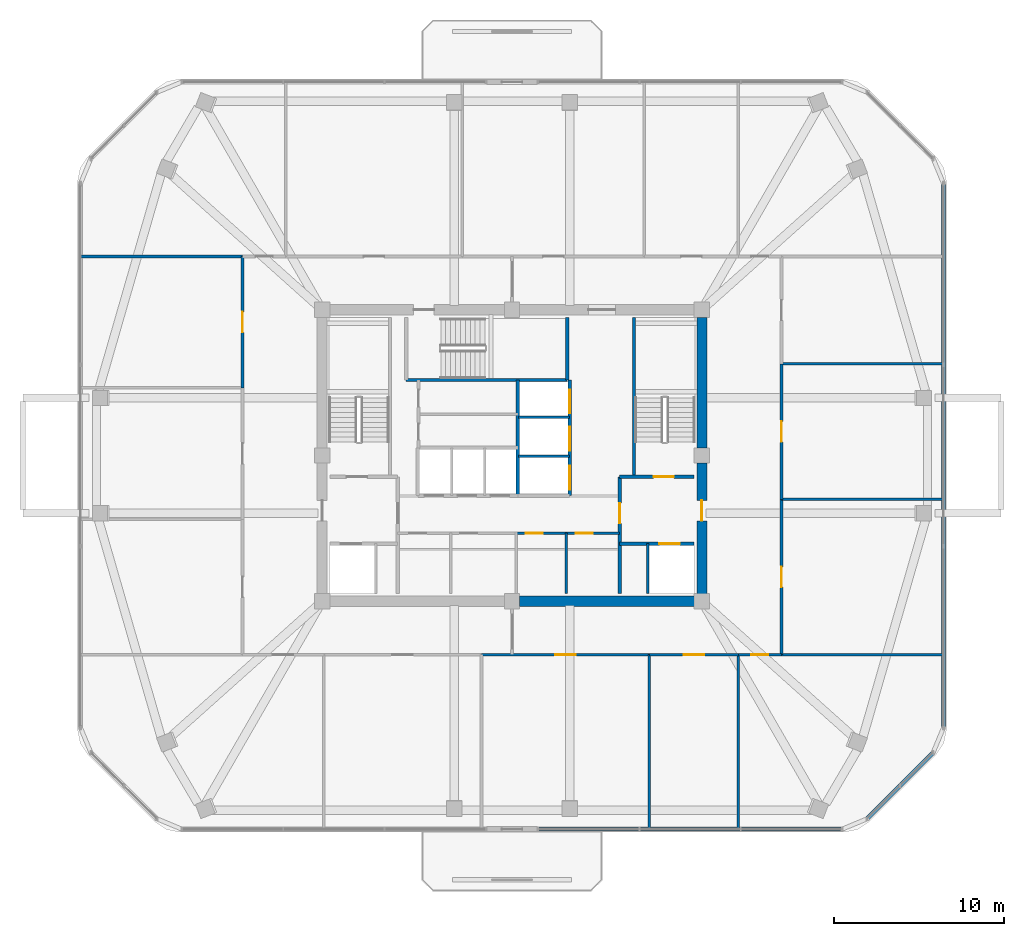
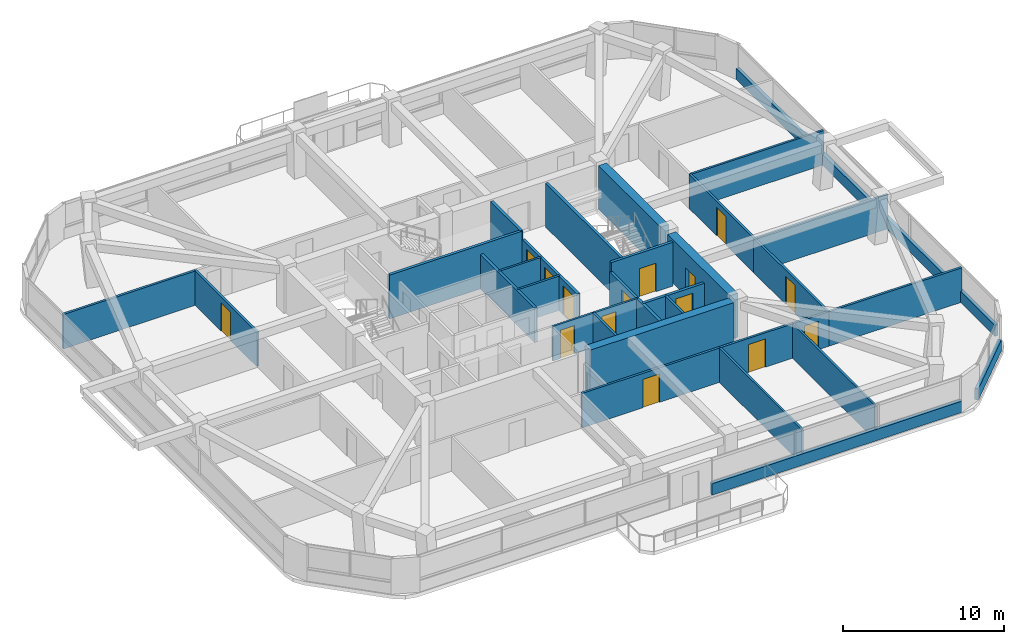
# One storey, part 9 of 12: 31 walls, 15 doors, 15 openings.
"""IFC4 building model written with IfcOpenShell, lengths in metres."""

from ifc_helpers import new_model, si_unit, derived_unit, direction, frame, frame_2d, origin, place, context, subcontext, project, spatial, rectangle, extrude, material, layer, layer_set, type_object, element, fill, save


model = new_model("IFC4")

# Units and contexts
model_context = context("Model", 3, precision=1e-05, world=origin(), true_north=direction((0.0, 1.0)))
body_context = subcontext(model_context, "Body", "Model", "MODEL_VIEW")
ifc_project = project(units=[si_unit("LENGTHUNIT", "METRE"), si_unit("AREAUNIT", "SQUARE_METRE"), si_unit("VOLUMEUNIT", "CUBIC_METRE"), si_unit("PLANEANGLEUNIT", "RADIAN"), si_unit("MASSUNIT", "GRAM", prefix="KILO"), derived_unit("THERMALTRANSMITTANCEUNIT", [(si_unit("POWERUNIT", "WATT"), 1), (si_unit("LENGTHUNIT", "METRE"), -2), (si_unit("THERMODYNAMICTEMPERATUREUNIT", "KELVIN"), -1)])], contexts=[model_context])

# Site, building, storey
site_placement = place(None, origin())
site = spatial("IfcSite", under=ifc_project, at=site_placement, CompositionType="ELEMENT")
building_placement = place(site_placement, origin())
building = spatial("IfcBuilding", under=site, at=building_placement, Name="Koralith Skygarden Medical Center", CompositionType="ELEMENT")
storey_placement = place(building_placement, frame((0.0, 0.0, 203.580078125)))
storey = spatial("IfcBuildingStorey", under=building, at=storey_placement, Name="L52", CompositionType="ELEMENT", Elevation=203.580078125)

# Wall, openings, doors
ifc_material_1 = material(Name="Gypsum Board Partition")
ifc_layer_1 = layer(ifc_material_1, 0.14990234375)
ifc_layer_set_1 = layer_set([ifc_layer_1], Name="Gypsum Board Partition")
wall_type_1 = type_object("IfcWallType", Name="Clinical Acoustic Partition 150", PredefinedType="PARTITIONING", material=ifc_layer_set_1)
wall_1_placement = place(storey_placement, frame((37.25, 21.320068359375, 0.0), z_axis=(0.0, 0.0, 1.0), x_axis=(1.0, 0.0, 0.0)))
wall_1 = element("IfcWall", 1, at=wall_1_placement, inside=storey, type_object=wall_type_1, Name="L52 Clinical Acoustic Partition 150 W-CORE-L52-FREED-MR-N", PredefinedType="PARTITIONING", context=body_context, shape_type="SweptSolid", body=[
    extrude(rectangle(XDim=6.10009765625, YDim=0.14990234375, at=frame_2d((3.050048828125, 0.0))), origin(), (0.0, 0.0, 1.0), 2.60986328125),
])
opening_1_placement = place(wall_1_placement, frame((0.550048828125, 0.0, 0.0)))
opening_1 = element("IfcOpeningElement", 2, at=opening_1_placement, cuts=wall_1, Name="Opening D-SUP", PredefinedType="OPENING", context=body_context, shape_type="SweptSolid", body=[
    extrude(rectangle(XDim=1.0, YDim=2.14990234375, at=frame_2d((0.5, 1.074951171875))), frame((0.0, 0.0849609375, 0.0), z_axis=(0.0, -1.0, 0.0), x_axis=(1.0, 0.0, 0.0)), (0.0, 0.0, 1.0), 0.169921875),
])
opening_2_placement = place(wall_1_placement, frame((3.5, 0.0, 0.0)))
opening_2 = element("IfcOpeningElement", 3, at=opening_2_placement, cuts=wall_1, Name="Opening D-SUP", PredefinedType="OPENING", context=body_context, shape_type="SweptSolid", body=[
    extrude(rectangle(XDim=1.0, YDim=2.14990234375, at=frame_2d((0.5, 1.074951171875))), frame((0.0, 0.0849609375, 0.0), z_axis=(0.0, -1.0, 0.0), x_axis=(1.0, 0.0, 0.0)), (0.0, 0.0, 1.0), 0.169921875),
])
ifc_material_2 = material(Name="Aluminium 6063-T6", Category="aluminium")
door_type_1 = type_object("IfcDoorType", Name="Clinical Support Door D-SUP 1000", OperationType="NOTDEFINED", PredefinedType="DOOR", material=ifc_material_2)
door_1_placement = place(opening_1_placement, frame((1.0, 0.0, 0.0), z_axis=(0.0, 0.0, 1.0), x_axis=(-1.0, 0.0, 0.0)))
door_1 = element("IfcDoor", 4, at=door_1_placement, inside=storey, type_object=door_type_1, Name="L52 Satellite Pharmacy Door", OperationType="SINGLE_SWING_LEFT", OverallHeight=2.14990234375, OverallWidth=1.0, PredefinedType="DOOR", context=body_context, shape_type="SweptSolid", body=[
    extrude(rectangle(XDim=1.0, YDim=2.14990234375, at=frame_2d((0.5, 1.074951171875))), frame((0.0, 0.02490234375, 0.0), z_axis=(0.0, -1.0, 0.0), x_axis=(1.0, 0.0, 0.0)), (0.0, 0.0, 1.0), 0.050048828125),
])
fill(opening_1, door_1)
door_2_placement = place(opening_2_placement, frame((1.0, 0.0, 0.0), z_axis=(0.0, 0.0, 1.0), x_axis=(-1.0, 0.0, 0.0)))
door_2 = element("IfcDoor", 5, at=door_2_placement, inside=storey, type_object=door_type_1, Name="L52 Biomedical Equipment Door", OperationType="SINGLE_SWING_RIGHT", OverallHeight=2.14990234375, OverallWidth=1.0, PredefinedType="DOOR", context=body_context, shape_type="SweptSolid", body=[
    extrude(rectangle(XDim=1.0, YDim=2.14990234375, at=frame_2d((0.5, 1.074951171875))), frame((0.0, 0.02490234375, 0.0), z_axis=(0.0, -1.0, 0.0), x_axis=(1.0, 0.0, 0.0)), (0.0, 0.0, 1.0), 0.050048828125),
])
fill(opening_2, door_2)

# Walls
wall_2_placement = place(storey_placement, frame((40.199951171875, 17.75, 0.0), z_axis=(0.0, 0.0, 1.0), x_axis=(0.0, 1.0, 0.0)))
element("IfcWall", 6, at=wall_2_placement, inside=storey, type_object=wall_type_1, Name="L52 Clinical Acoustic Partition 150 W-CORE-L52-FREED-MR-M", PredefinedType="PARTITIONING", context=body_context, shape_type="SweptSolid", body=[
    extrude(rectangle(XDim=3.570068359375, YDim=0.14990234375, at=frame_2d((1.78515625, 0.0))), origin(), (0.0, 0.0, 1.0), 2.60986328125),
])
for number, where, z_axis, x_axis, name in (
    (7, (45.10888671875, 14.14990234375, 0.0), (0.0, 0.0, 1.0), (0.0, -1.0, 0.0), "L52 Clinical Acoustic Partition 150 W-PART-L52-S-03"),
    (8, (50.35009765625, 14.14990234375, 0.0), (0.0, 0.0, 1.0), (0.0, -1.0, 0.0), "L52 Clinical Acoustic Partition 150 W-PART-L52-S-04"),
):
    element("IfcWall", number, at=place(storey_placement, frame(where, z_axis=z_axis, x_axis=x_axis)), inside=storey, type_object=wall_type_1, Name=name, PredefinedType="PARTITIONING", context=body_context, shape_type="SweptSolid", body=[
        extrude(rectangle(XDim=10.27197265625, YDim=0.14990234375, at=frame_2d((5.135986328125, 0.0))), origin(), (0.0, 0.0, 1.0), 2.60986328125),
    ])
for number, where, z_axis, x_axis, name in (
    (9, (52.89990234375, 23.31494140625, 0.0), (0.0, 0.0, 1.0), (1.0, 0.0, 0.0), "L52 Clinical Acoustic Partition 150 W-PART-L52-E-01"),
    (10, (52.89990234375, 31.304931640625, 0.0), (0.0, 0.0, 1.0), (1.0, 0.0, 0.0), "L52 Clinical Acoustic Partition 150 W-PART-L52-E-02"),
):
    element("IfcWall", number, at=place(storey_placement, frame(where, z_axis=z_axis, x_axis=x_axis)), inside=storey, type_object=wall_type_1, Name=name, PredefinedType="PARTITIONING", context=body_context, shape_type="SweptSolid", body=[
        extrude(rectangle(XDim=9.531005859375, YDim=0.14990234375, at=frame_2d((4.765625, 0.0))), origin(), (0.0, 0.0, 1.0), 2.60986328125),
    ])
ifc_layer_2 = layer(ifc_material_1, 0.1650390625)
ifc_layer_set_2 = layer_set([ifc_layer_2], Name="Gypsum Board Partition")
wall_type_2 = type_object("IfcWallType", Name="Clinical Corridor Partition 165", PredefinedType="PARTITIONING", material=ifc_layer_set_2)
for number, where, z_axis, x_axis, name in (
    (11, (11.569091796875, 37.64990234375, 0.0), (0.0, 0.0, 1.0), (1.0, 0.0, 0.0), "L52 Clinical Corridor Partition 165 W-WB-L52-NW"),
    (12, (52.89990234375, 14.14990234375, 0.0), (0.0, 0.0, 1.0), (1.0, 0.0, 0.0), "L52 Clinical Corridor Partition 165 W-WB-L52-SE"),
):
    element("IfcWall", number, at=place(storey_placement, frame(where, z_axis=z_axis, x_axis=x_axis)), inside=storey, type_object=wall_type_2, Name=name, PredefinedType="PARTITIONING", context=body_context, shape_type="SweptSolid", body=[
        extrude(rectangle(XDim=9.531005859375, YDim=0.1650390625, at=frame_2d((4.765625, 0.0))), origin(), (0.0, 0.0, 1.0), 2.60986328125),
    ])

# Wall, opening, door
wall_3_placement = place(storey_placement, frame((35.199951171875, 14.14990234375, 0.0), z_axis=(0.0, 0.0, 1.0), x_axis=(1.0, 0.0, 0.0)))
wall_3 = element("IfcWall", 13, at=wall_3_placement, inside=storey, type_object=wall_type_2, Name="L52 Clinical Corridor Partition 165 W-CORR-L52-S-03", PredefinedType="PARTITIONING", context=body_context, shape_type="SweptSolid", body=[
    extrude(rectangle(XDim=9.908935546875, YDim=0.1650390625, at=frame_2d((4.95458984375, 0.0))), origin(), (0.0, 0.0, 1.0), 2.60986328125),
])
opening_3_placement = place(wall_3_placement, frame((4.35400390625, 0.0, 0.0)))
opening_3 = element("IfcOpeningElement", 14, at=opening_3_placement, cuts=wall_3, Name="Opening D-CLN", PredefinedType="OPENING", context=body_context, shape_type="SweptSolid", body=[
    extrude(rectangle(XDim=1.199951171875, YDim=2.14990234375, at=frame_2d((0.60009765625, 1.074951171875))), frame((0.0, 0.092529296875, 0.0), z_axis=(0.0, -1.0, 0.0), x_axis=(1.0, 0.0, 0.0)), (0.0, 0.0, 1.0), 0.18505859375),
])
door_type_2 = type_object("IfcDoorType", Name="Clinical Corridor Door D-CLN 1200", OperationType="NOTDEFINED", PredefinedType="DOOR", material=ifc_material_2)
door_3_placement = place(opening_3_placement, frame((1.199951171875, 0.0, 0.0), z_axis=(0.0, 0.0, 1.0), x_axis=(-1.0, 0.0, 0.0)))
door_3 = element("IfcDoor", 15, at=door_3_placement, inside=storey, type_object=door_type_2, Name="L52 Patient and Family Sky-Garden Day Lounge 08 Door", OperationType="SINGLE_SWING_LEFT", OverallHeight=2.14990234375, OverallWidth=1.199951171875, PredefinedType="DOOR", context=body_context, shape_type="SweptSolid", body=[
    extrude(rectangle(XDim=1.199951171875, YDim=2.14990234375, at=frame_2d((0.60009765625, 1.074951171875))), frame((0.0, 0.02490234375, 0.0), z_axis=(0.0, -1.0, 0.0), x_axis=(1.0, 0.0, 0.0)), (0.0, 0.0, 1.0), 0.050048828125),
])
fill(opening_3, door_3)

wall_4_placement = place(storey_placement, frame((45.10888671875, 14.14990234375, 0.0), z_axis=(0.0, 0.0, 1.0), x_axis=(1.0, 0.0, 0.0)))
wall_4 = element("IfcWall", 16, at=wall_4_placement, inside=storey, type_object=wall_type_2, Name="L52 Clinical Corridor Partition 165 W-CORR-L52-S-04", PredefinedType="PARTITIONING", context=body_context, shape_type="SweptSolid", body=[
    extrude(rectangle(XDim=5.2412109375, YDim=0.1650390625, at=frame_2d((2.62060546875, 0.0))), origin(), (0.0, 0.0, 1.0), 2.60986328125),
])
opening_4_placement = place(wall_4_placement, frame((2.02001953125, 0.0, 0.0)))
opening_4 = element("IfcOpeningElement", 17, at=opening_4_placement, cuts=wall_4, Name="Opening D-CLN", PredefinedType="OPENING", context=body_context, shape_type="SweptSolid", body=[
    extrude(rectangle(XDim=1.199951171875, YDim=2.14990234375, at=frame_2d((0.60009765625, 1.074951171875))), frame((0.0, 0.092529296875, 0.0), z_axis=(0.0, -1.0, 0.0), x_axis=(1.0, 0.0, 0.0)), (0.0, 0.0, 1.0), 0.18505859375),
])
door_4_placement = place(opening_4_placement, frame((1.199951171875, 0.0, 0.0), z_axis=(0.0, 0.0, 1.0), x_axis=(-1.0, 0.0, 0.0)))
door_4 = element("IfcDoor", 18, at=door_4_placement, inside=storey, type_object=door_type_2, Name="L52 Cardiac Stress Exercise Hall 09 Door", OperationType="SINGLE_SWING_RIGHT", OverallHeight=2.14990234375, OverallWidth=1.199951171875, PredefinedType="DOOR", context=body_context, shape_type="SweptSolid", body=[
    extrude(rectangle(XDim=1.199951171875, YDim=2.14990234375, at=frame_2d((0.60009765625, 1.074951171875))), frame((0.0, 0.02490234375, 0.0), z_axis=(0.0, -1.0, 0.0), x_axis=(1.0, 0.0, 0.0)), (0.0, 0.0, 1.0), 0.050048828125),
])
fill(opening_4, door_4)

wall_5_placement = place(storey_placement, frame((50.35009765625, 14.14990234375, 0.0), z_axis=(0.0, 0.0, 1.0), x_axis=(1.0, 0.0, 0.0)))
wall_5 = element("IfcWall", 19, at=wall_5_placement, inside=storey, type_object=wall_type_2, Name="L52 Clinical Corridor Partition 165 W-CORR-L52-S-05", PredefinedType="PARTITIONING", context=body_context, shape_type="SweptSolid", body=[
    extrude(rectangle(XDim=2.5498046875, YDim=0.1650390625, at=frame_2d((1.27490234375, 0.0))), origin(), (0.0, 0.0, 1.0), 2.60986328125),
])
opening_5_placement = place(wall_5_placement, frame((0.77490234375, 0.0, 0.0)))
opening_5 = element("IfcOpeningElement", 20, at=opening_5_placement, cuts=wall_5, Name="Opening D-SUP", PredefinedType="OPENING", context=body_context, shape_type="SweptSolid", body=[
    extrude(rectangle(XDim=1.0, YDim=2.14990234375, at=frame_2d((0.5, 1.074951171875))), frame((0.0, 0.092529296875, 0.0), z_axis=(0.0, -1.0, 0.0), x_axis=(1.0, 0.0, 0.0)), (0.0, 0.0, 1.0), 0.18505859375),
])
door_5_placement = place(opening_5_placement, frame((1.0, 0.0, 0.0), z_axis=(0.0, 0.0, 1.0), x_axis=(-1.0, 0.0, 0.0)))
door_5 = element("IfcDoor", 21, at=door_5_placement, inside=storey, type_object=door_type_1, Name="L52 Telemetry Holter Store 10 Door", OperationType="SINGLE_SWING_LEFT", OverallHeight=2.14990234375, OverallWidth=1.0, PredefinedType="DOOR", context=body_context, shape_type="SweptSolid", body=[
    extrude(rectangle(XDim=1.0, YDim=2.14990234375, at=frame_2d((0.5, 1.074951171875))), frame((0.0, 0.02490234375, 0.0), z_axis=(0.0, -1.0, 0.0), x_axis=(1.0, 0.0, 0.0)), (0.0, 0.0, 1.0), 0.050048828125),
])
fill(opening_5, door_5)

wall_6_placement = place(storey_placement, frame((21.10009765625, 29.89501953125, 0.0), z_axis=(0.0, 0.0, 1.0), x_axis=(0.0, 1.0, 0.0)))
wall_6 = element("IfcWall", 22, at=wall_6_placement, inside=storey, type_object=wall_type_2, Name="L52 Clinical Corridor Partition 165 W-CORR-L52-W-03", PredefinedType="PARTITIONING", context=body_context, shape_type="SweptSolid", body=[
    extrude(rectangle(XDim=7.7548828125, YDim=0.1650390625, at=frame_2d((3.87744140625, 0.0))), origin(), (0.0, 0.0, 1.0), 2.60986328125),
])
opening_6_placement = place(wall_6_placement, frame((3.277099609375, 0.0, 0.0)))
opening_6 = element("IfcOpeningElement", 23, at=opening_6_placement, cuts=wall_6, Name="Opening D-CLN", PredefinedType="OPENING", context=body_context, shape_type="SweptSolid", body=[
    extrude(rectangle(XDim=1.199951171875, YDim=2.14990234375, at=frame_2d((0.60009765625, 1.074951171875))), frame((0.0, 0.092529296875, 0.0), z_axis=(0.0, -1.0, 0.0), x_axis=(1.0, 0.0, 0.0)), (0.0, 0.0, 1.0), 0.18505859375),
])
door_6_placement = place(opening_6_placement, frame((1.199951171875, 0.0, 0.0), z_axis=(0.0, 0.0, 1.0), x_axis=(-1.0, 0.0, 0.0)))
door_6 = element("IfcDoor", 24, at=door_6_placement, inside=storey, type_object=door_type_2, Name="L52 Cardiac Stress Exercise Hall 13 Door", OperationType="SINGLE_SWING_RIGHT", OverallHeight=2.14990234375, OverallWidth=1.199951171875, PredefinedType="DOOR", context=body_context, shape_type="SweptSolid", body=[
    extrude(rectangle(XDim=1.199951171875, YDim=2.14990234375, at=frame_2d((0.60009765625, 1.074951171875))), frame((0.0, 0.02490234375, 0.0), z_axis=(0.0, -1.0, 0.0), x_axis=(1.0, 0.0, 0.0)), (0.0, 0.0, 1.0), 0.050048828125),
])
fill(opening_6, door_6)

wall_7_placement = place(storey_placement, frame((52.89990234375, 14.14990234375, 0.0), z_axis=(0.0, 0.0, 1.0), x_axis=(0.0, 1.0, 0.0)))
wall_7 = element("IfcWall", 25, at=wall_7_placement, inside=storey, type_object=wall_type_2, Name="L52 Clinical Corridor Partition 165 W-CORR-L52-E-01", PredefinedType="PARTITIONING", context=body_context, shape_type="SweptSolid", body=[
    extrude(rectangle(XDim=9.1650390625, YDim=0.1650390625, at=frame_2d((4.58251953125, 0.0))), origin(), (0.0, 0.0, 1.0), 2.60986328125),
])
opening_7_placement = place(wall_7_placement, frame((3.98291015625, 0.0, 0.0)))
opening_7 = element("IfcOpeningElement", 26, at=opening_7_placement, cuts=wall_7, Name="Opening D-CLN", PredefinedType="OPENING", context=body_context, shape_type="SweptSolid", body=[
    extrude(rectangle(XDim=1.199951171875, YDim=2.14990234375, at=frame_2d((0.60009765625, 1.074951171875))), frame((0.0, 0.092529296875, 0.0), z_axis=(0.0, -1.0, 0.0), x_axis=(1.0, 0.0, 0.0)), (0.0, 0.0, 1.0), 0.18505859375),
])
door_7_placement = place(opening_7_placement, origin())
door_7 = element("IfcDoor", 27, at=door_7_placement, inside=storey, type_object=door_type_2, Name="L52 Telemetry Holter Store 14 Door", OperationType="SINGLE_SWING_LEFT", OverallHeight=2.14990234375, OverallWidth=1.199951171875, PredefinedType="DOOR", context=body_context, shape_type="SweptSolid", body=[
    extrude(rectangle(XDim=1.199951171875, YDim=2.14990234375, at=frame_2d((0.60009765625, 1.074951171875))), frame((0.0, 0.02490234375, 0.0), z_axis=(0.0, -1.0, 0.0), x_axis=(1.0, 0.0, 0.0)), (0.0, 0.0, 1.0), 0.050048828125),
])
fill(opening_7, door_7)

wall_8_placement = place(storey_placement, frame((52.89990234375, 23.31494140625, 0.0), z_axis=(0.0, 0.0, 1.0), x_axis=(0.0, 1.0, 0.0)))
wall_8 = element("IfcWall", 28, at=wall_8_placement, inside=storey, type_object=wall_type_2, Name="L52 Clinical Corridor Partition 165 W-CORR-L52-E-02", PredefinedType="PARTITIONING", context=body_context, shape_type="SweptSolid", body=[
    extrude(rectangle(XDim=7.989990234375, YDim=0.1650390625, at=frame_2d((3.9951171875, 0.0))), origin(), (0.0, 0.0, 1.0), 2.60986328125),
])
opening_8_placement = place(wall_8_placement, frame((3.39501953125, 0.0, 0.0)))
opening_8 = element("IfcOpeningElement", 29, at=opening_8_placement, cuts=wall_8, Name="Opening D-CLN", PredefinedType="OPENING", context=body_context, shape_type="SweptSolid", body=[
    extrude(rectangle(XDim=1.199951171875, YDim=2.14990234375, at=frame_2d((0.60009765625, 1.074951171875))), frame((0.0, 0.092529296875, 0.0), z_axis=(0.0, -1.0, 0.0), x_axis=(1.0, 0.0, 0.0)), (0.0, 0.0, 1.0), 0.18505859375),
])
door_8_placement = place(opening_8_placement, origin())
door_8 = element("IfcDoor", 30, at=door_8_placement, inside=storey, type_object=door_type_2, Name="L52 Cardiology Fellows Office 15 Door", OperationType="SINGLE_SWING_RIGHT", OverallHeight=2.14990234375, OverallWidth=1.199951171875, PredefinedType="DOOR", context=body_context, shape_type="SweptSolid", body=[
    extrude(rectangle(XDim=1.199951171875, YDim=2.14990234375, at=frame_2d((0.60009765625, 1.074951171875))), frame((0.0, 0.02490234375, 0.0), z_axis=(0.0, -1.0, 0.0), x_axis=(1.0, 0.0, 0.0)), (0.0, 0.0, 1.0), 0.050048828125),
])
fill(opening_8, door_8)

ifc_layer_3 = layer(ifc_material_1, 0.199951171875)
ifc_layer_set_3 = layer_set([ifc_layer_3], Name="Gypsum Board Partition")
wall_type_3 = type_object("IfcWallType", Name="Fire Shaft Wall 200", PredefinedType="SOLIDWALL", material=ifc_layer_set_3)
wall_9_placement = place(storey_placement, frame((43.35009765625, 20.699951171875, 0.0), z_axis=(0.0, 0.0, 1.0), x_axis=(1.0, 0.0, 0.0)))
wall_9 = element("IfcWall", 31, at=wall_9_placement, inside=storey, type_object=wall_type_3, Name="L52 Fire Shaft Wall 200 W-CORE-L52-FF2-N", PredefinedType="SOLIDWALL", context=body_context, shape_type="SweptSolid", body=[
    extrude(rectangle(XDim=4.39990234375, YDim=0.199951171875, at=frame_2d((2.199951171875, 0.0))), origin(), (0.0, 0.0, 1.0), 2.60986328125),
])
opening_9_placement = place(wall_9_placement, frame((2.35009765625, 0.0, 0.0)))
opening_9 = element("IfcOpeningElement", 32, at=opening_9_placement, cuts=wall_9, Name="Opening LD-FF", PredefinedType="OPENING", context=body_context, shape_type="SweptSolid", body=[
    extrude(rectangle(XDim=1.199951171875, YDim=2.14990234375, at=frame_2d((0.60009765625, 1.074951171875))), frame((0.0, 0.10986328125, 0.0), z_axis=(0.0, -1.0, 0.0), x_axis=(1.0, 0.0, 0.0)), (0.0, 0.0, 1.0), 0.219970703125),
])
ifc_material_3 = material(Name="Steel ASTM A500 Grade C", Category="steel")
door_type_3 = type_object("IfcDoorType", Name="Fire Lift Sliding Landing Door LD-FF 1200", OperationType="NOTDEFINED", PredefinedType="DOOR", material=ifc_material_3)
door_9_placement = place(opening_9_placement, origin())
door_9 = element("IfcDoor", 33, at=door_9_placement, inside=storey, type_object=door_type_3, Name="L52 Fire Service Elevator FF2 Landing Door", OperationType="SLIDING_TO_RIGHT", OverallHeight=2.14990234375, OverallWidth=1.199951171875, PredefinedType="DOOR", context=body_context, shape_type="SweptSolid", body=[
    extrude(rectangle(XDim=1.199951171875, YDim=2.14990234375, at=frame_2d((0.60009765625, 1.074951171875))), frame((0.0, 0.02490234375, 0.0), z_axis=(0.0, -1.0, 0.0), x_axis=(1.0, 0.0, 0.0)), (0.0, 0.0, 1.0), 0.050048828125),
])
fill(opening_9, door_9)

wall_10_placement = place(storey_placement, frame((43.35009765625, 17.75, 0.0), z_axis=(0.0, 0.0, 1.0), x_axis=(0.0, 1.0, 0.0)))
wall_10 = element("IfcWall", 34, at=wall_10_placement, inside=storey, type_object=wall_type_3, Name="L52 Fire Shaft Wall 200 W-CORE-L52-FSAEE-W", PredefinedType="SOLIDWALL", context=body_context, shape_type="SweptSolid", body=[
    extrude(rectangle(XDim=6.89990234375, YDim=0.199951171875, at=frame_2d((3.449951171875, 0.0))), origin(), (0.0, 0.0, 1.0), 2.60986328125),
])
opening_10_placement = place(wall_10_placement, frame((4.14990234375, 0.0, 0.0)))
opening_10 = element("IfcOpeningElement", 35, at=opening_10_placement, cuts=wall_10, Name="Opening D-ST60", PredefinedType="OPENING", context=body_context, shape_type="SweptSolid", body=[
    extrude(rectangle(XDim=1.199951171875, YDim=2.14990234375, at=frame_2d((0.60009765625, 1.074951171875))), frame((0.0, 0.10986328125, 0.0), z_axis=(0.0, -1.0, 0.0), x_axis=(1.0, 0.0, 0.0)), (0.0, 0.0, 1.0), 0.219970703125),
])
door_type_4 = type_object("IfcDoorType", Name="Smokeproof Stair Fire Door FD60S 1200", OperationType="NOTDEFINED", PredefinedType="DOOR", material=ifc_material_3)
door_10_placement = place(opening_10_placement, frame((1.199951171875, 0.0, 0.0), z_axis=(0.0, 0.0, 1.0), x_axis=(-1.0, 0.0, 0.0)))
door_10 = element("IfcDoor", 36, at=door_10_placement, inside=storey, type_object=door_type_4, Name="L52 East Firefighting Lobby Inner Fire Door", OperationType="SINGLE_SWING_RIGHT", OverallHeight=2.14990234375, OverallWidth=1.199951171875, PredefinedType="DOOR", context=body_context, shape_type="SweptSolid", body=[
    extrude(rectangle(XDim=1.199951171875, YDim=2.14990234375, at=frame_2d((0.60009765625, 1.074951171875))), frame((0.0, 0.02490234375, 0.0), z_axis=(0.0, -1.0, 0.0), x_axis=(1.0, 0.0, 0.0)), (0.0, 0.0, 1.0), 0.050048828125),
])
fill(opening_10, door_10)

# Wall
wall_11_placement = place(storey_placement, frame((37.35009765625, 23.5400390625, 0.0), z_axis=(0.0, 0.0, 1.0), x_axis=(0.0, 1.0, 0.0)))
element("IfcWall", 37, at=wall_11_placement, inside=storey, type_object=wall_type_3, Name="L52 Fire Shaft Wall 200 W-CORE-L52-SV-W", PredefinedType="SOLIDWALL", context=body_context, shape_type="SweptSolid", body=[
    extrude(rectangle(XDim=6.820068359375, YDim=0.199951171875, at=frame_2d((3.41015625, 0.0))), origin(), (0.0, 0.0, 1.0), 2.60986328125),
])

# Wall, openings, doors
wall_12_placement = place(storey_placement, frame((40.39990234375, 23.5400390625, 0.0), z_axis=(0.0, 0.0, 1.0), x_axis=(0.0, 1.0, 0.0)))
wall_12 = element("IfcWall", 38, at=wall_12_placement, inside=storey, type_object=wall_type_3, Name="L52 Fire Shaft Wall 200 W-CORE-L52-SV-E", PredefinedType="SOLIDWALL", context=body_context, shape_type="SweptSolid", body=[
    extrude(rectangle(XDim=6.820068359375, YDim=0.199951171875, at=frame_2d((3.41015625, 0.0))), origin(), (0.0, 0.0, 1.0), 2.60986328125),
])
opening_11_placement = place(wall_12_placement, frame((0.35009765625, 0.0, 0.0)))
opening_11 = element("IfcOpeningElement", 39, at=opening_11_placement, cuts=wall_12, Name="Opening LD-SV", PredefinedType="OPENING", context=body_context, shape_type="SweptSolid", body=[
    extrude(rectangle(XDim=1.39990234375, YDim=2.199951171875, at=frame_2d((0.699951171875, 1.10009765625))), frame((0.0, 0.10986328125, 0.0), z_axis=(0.0, -1.0, 0.0), x_axis=(1.0, 0.0, 0.0)), (0.0, 0.0, 1.0), 0.219970703125),
])
opening_12_placement = place(wall_12_placement, frame((2.64990234375, 0.0, 0.0)))
opening_12 = element("IfcOpeningElement", 40, at=opening_12_placement, cuts=wall_12, Name="Opening LD-SV", PredefinedType="OPENING", context=body_context, shape_type="SweptSolid", body=[
    extrude(rectangle(XDim=1.39990234375, YDim=2.199951171875, at=frame_2d((0.699951171875, 1.10009765625))), frame((0.0, 0.10986328125, 0.0), z_axis=(0.0, -1.0, 0.0), x_axis=(1.0, 0.0, 0.0)), (0.0, 0.0, 1.0), 0.219970703125),
])
opening_13_placement = place(wall_12_placement, frame((4.85009765625, 0.0, 0.0)))
opening_13 = element("IfcOpeningElement", 41, at=opening_13_placement, cuts=wall_12, Name="Opening LD-SV", PredefinedType="OPENING", context=body_context, shape_type="SweptSolid", body=[
    extrude(rectangle(XDim=1.39990234375, YDim=2.199951171875, at=frame_2d((0.699951171875, 1.10009765625))), frame((0.0, 0.10986328125, 0.0), z_axis=(0.0, -1.0, 0.0), x_axis=(1.0, 0.0, 0.0)), (0.0, 0.0, 1.0), 0.219970703125),
])
door_type_5 = type_object("IfcDoorType", Name="Bed Lift Sliding Landing Door LD-SV 1400", OperationType="NOTDEFINED", PredefinedType="DOOR", material=ifc_material_3)
door_11_placement = place(opening_11_placement, origin())
door_11 = element("IfcDoor", 42, at=door_11_placement, inside=storey, type_object=door_type_5, Name="L52 Bed Elevator BD1 Landing Door", OperationType="SLIDING_TO_LEFT", OverallHeight=2.199951171875, OverallWidth=1.39990234375, PredefinedType="DOOR", context=body_context, shape_type="SweptSolid", body=[
    extrude(rectangle(XDim=1.39990234375, YDim=2.199951171875, at=frame_2d((0.699951171875, 1.10009765625))), frame((0.0, 0.02490234375, 0.0), z_axis=(0.0, -1.0, 0.0), x_axis=(1.0, 0.0, 0.0)), (0.0, 0.0, 1.0), 0.050048828125),
])
fill(opening_11, door_11)
door_12_placement = place(opening_12_placement, origin())
door_12 = element("IfcDoor", 43, at=door_12_placement, inside=storey, type_object=door_type_5, Name="L52 Service Elevator BD2 Landing Door", OperationType="SLIDING_TO_LEFT", OverallHeight=2.199951171875, OverallWidth=1.39990234375, PredefinedType="DOOR", context=body_context, shape_type="SweptSolid", body=[
    extrude(rectangle(XDim=1.39990234375, YDim=2.199951171875, at=frame_2d((0.699951171875, 1.10009765625))), frame((0.0, 0.02490234375, 0.0), z_axis=(0.0, -1.0, 0.0), x_axis=(1.0, 0.0, 0.0)), (0.0, 0.0, 1.0), 0.050048828125),
])
fill(opening_12, door_12)
door_13_placement = place(opening_13_placement, origin())
door_13 = element("IfcDoor", 44, at=door_13_placement, inside=storey, type_object=door_type_5, Name="L52 Trauma Elevator TR1 Landing Door", OperationType="SLIDING_TO_RIGHT", OverallHeight=2.199951171875, OverallWidth=1.39990234375, PredefinedType="DOOR", context=body_context, shape_type="SweptSolid", body=[
    extrude(rectangle(XDim=1.39990234375, YDim=2.199951171875, at=frame_2d((0.699951171875, 1.10009765625))), frame((0.0, 0.02490234375, 0.0), z_axis=(0.0, -1.0, 0.0), x_axis=(1.0, 0.0, 0.0)), (0.0, 0.0, 1.0), 0.050048828125),
])
fill(opening_13, door_13)

# Walls
ifc_material_4 = material(Name="Warm Oolitic Limestone Cladding", Category="masonry")
ifc_layer_4 = layer(ifc_material_4, 0.239990234375)
ifc_layer_set_4 = layer_set([ifc_layer_4], Name="Warm Oolitic Limestone Cladding")
wall_type_4 = type_object("IfcWallType", Name="Limestone Spandrel Sill Backup Wall 240", PredefinedType="SOLIDWALL", material=ifc_layer_set_4)
wall_13_placement = place(storey_placement, frame((38.5400390625, 3.85791015625, 0.0), z_axis=(0.0, 0.0, 1.0), x_axis=(1.0, 0.0, 0.0)))
element("IfcWall", 45, at=wall_13_placement, inside=storey, type_object=wall_type_4, Name="L52 Sill Spandrel S-R", PredefinedType="SOLIDWALL", context=body_context, shape_type="SweptSolid", body=[
    extrude(rectangle(XDim=17.93505859375, YDim=0.239990234375, at=frame_2d((8.967529296875, 0.0))), origin(), (0.0, 0.0, 1.0), 0.849853515625),
])
wall_14_placement = place(storey_placement, frame((57.926025390625, 4.4599609375, 0.0), z_axis=(0.0, 0.0, 1.0), x_axis=(0.707106781187, 0.707106781187, 0.0)))
element("IfcWall", 46, at=wall_14_placement, inside=storey, type_object=wall_type_4, Name="L52 Sill Spandrel SE", PredefinedType="SOLIDWALL", context=body_context, shape_type="SweptSolid", body=[
    extrude(rectangle(XDim=5.548095703125, YDim=0.239990234375, at=frame_2d((2.77392578125, 0.0))), origin(), (0.0, 0.0, 1.0), 0.849853515625),
])
wall_15_placement = place(storey_placement, frame((62.450927734375, 9.833984375, 0.0), z_axis=(0.0, 0.0, 1.0), x_axis=(0.0, 1.0, 0.0)))
element("IfcWall", 47, at=wall_15_placement, inside=storey, type_object=wall_type_4, Name="L52 Sill Spandrel E", PredefinedType="SOLIDWALL", context=body_context, shape_type="SweptSolid", body=[
    extrude(rectangle(XDim=32.132080078125, YDim=0.239990234375, at=frame_2d((16.06591796875, 0.0))), origin(), (0.0, 0.0, 1.0), 0.849853515625),
])
ifc_layer_5 = layer(ifc_material_1, 0.14990234375)
ifc_layer_set_5 = layer_set([ifc_layer_5], Name="Gypsum Board Partition")
wall_type_5 = type_object("IfcWallType", Name="Shaft Partition Wall 150", PredefinedType="PARTITIONING", material=ifc_layer_set_5)
wall_16_placement = place(storey_placement, frame((45.02001953125, 17.75, 0.0), z_axis=(0.0, 0.0, 1.0), x_axis=(0.0, 1.0, 0.0)))
element("IfcWall", 48, at=wall_16_placement, inside=storey, type_object=wall_type_5, Name="L52 Shaft Partition Wall 150 W-CORE-L52-RSRE-DIV", PredefinedType="PARTITIONING", context=body_context, shape_type="SweptSolid", body=[
    extrude(rectangle(XDim=2.949951171875, YDim=0.14990234375, at=frame_2d((1.47509765625, 0.0))), origin(), (0.0, 0.0, 1.0), 2.60986328125),
])
for number, where, z_axis, x_axis, name in (
    (49, (37.3701171875, 25.8701171875, 0.0), (0.0, 0.0, 1.0), (1.0, 0.0, 0.0), "L52 Shaft Partition Wall 150 W-CORE-L52-SV-D1"),
    (50, (37.3701171875, 28.169921875, 0.0), (0.0, 0.0, 1.0), (1.0, 0.0, 0.0), "L52 Shaft Partition Wall 150 W-CORE-L52-SV-D2"),
):
    element("IfcWall", number, at=place(storey_placement, frame(where, z_axis=z_axis, x_axis=x_axis)), inside=storey, type_object=wall_type_5, Name=name, PredefinedType="PARTITIONING", context=body_context, shape_type="SweptSolid", body=[
        extrude(rectangle(XDim=3.009765625, YDim=0.14990234375, at=frame_2d((1.5048828125, 0.0))), origin(), (0.0, 0.0, 1.0), 2.60986328125),
    ])
ifc_material_5 = material(Name="Concrete C45/55", Category="concrete")
ifc_layer_6 = layer(ifc_material_5, 0.199951171875)
ifc_layer_set_6 = layer_set([ifc_layer_6], Name="Concrete C45/55")
wall_type_6 = type_object("IfcWallType", Name="Structural Stair Shaft Wall 200", PredefinedType="SHEAR", material=ifc_layer_set_6)
wall_17_placement = place(storey_placement, frame((44.199951171875, 24.64990234375, 0.0), z_axis=(0.0, 0.0, 1.0), x_axis=(0.0, 1.0, 0.0)))
element("IfcWall", 51, at=wall_17_placement, inside=storey, type_object=wall_type_6, Name="L52 Structural Stair Shaft Wall 200 W-CORE-L52-ST2-W", PredefinedType="SHEAR", context=body_context, shape_type="SweptSolid", body=[
    extrude(rectangle(XDim=9.400146484375, YDim=0.199951171875, at=frame_2d((4.7001953125, 0.0))), origin(), (0.0, 0.0, 1.0), 3.31982421875),
])

# Wall, opening, door
wall_18_placement = place(storey_placement, frame((43.35009765625, 24.64990234375, 0.0), z_axis=(0.0, 0.0, 1.0), x_axis=(1.0, 0.0, 0.0)))
wall_18 = element("IfcWall", 52, at=wall_18_placement, inside=storey, type_object=wall_type_6, Name="L52 Structural Stair Shaft Wall 200 W-CORE-L52-ST2-S", PredefinedType="SHEAR", context=body_context, shape_type="SweptSolid", body=[
    extrude(rectangle(XDim=4.39990234375, YDim=0.199951171875, at=frame_2d((2.199951171875, 0.0))), origin(), (0.0, 0.0, 1.0), 3.31982421875),
])
opening_14_placement = place(wall_18_placement, frame((2.0, 0.0, 0.0)))
opening_14 = element("IfcOpeningElement", 53, at=opening_14_placement, cuts=wall_18, Name="Opening D-ST60", PredefinedType="OPENING", context=body_context, shape_type="SweptSolid", body=[
    extrude(rectangle(XDim=1.199951171875, YDim=2.14990234375, at=frame_2d((0.60009765625, 1.074951171875))), frame((0.0, 0.10986328125, 0.0), z_axis=(0.0, -1.0, 0.0), x_axis=(1.0, 0.0, 0.0)), (0.0, 0.0, 1.0), 0.219970703125),
])
door_14_placement = place(opening_14_placement, origin())
door_14 = element("IfcDoor", 54, at=door_14_placement, inside=storey, type_object=door_type_4, Name="L52 Exit Stair ST2 Fire Door", OperationType="SINGLE_SWING_RIGHT", OverallHeight=2.14990234375, OverallWidth=1.199951171875, PredefinedType="DOOR", context=body_context, shape_type="SweptSolid", body=[
    extrude(rectangle(XDim=1.199951171875, YDim=2.14990234375, at=frame_2d((0.60009765625, 1.074951171875))), frame((0.0, 0.02490234375, 0.0), z_axis=(0.0, -1.0, 0.0), x_axis=(1.0, 0.0, 0.0)), (0.0, 0.0, 1.0), 0.050048828125),
])
fill(opening_14, door_14)

# Walls
wall_19_placement = place(storey_placement, frame((30.75, 30.360107421875, 0.0), z_axis=(0.0, 0.0, 1.0), x_axis=(1.0, 0.0, 0.0)))
element("IfcWall", 55, at=wall_19_placement, inside=storey, type_object=wall_type_6, Name="L52 Structural Stair Shaft Wall 200 W-CORE-L52-ST3-S", PredefinedType="SHEAR", context=body_context, shape_type="SweptSolid", body=[
    extrude(rectangle(XDim=9.5, YDim=0.199951171875, at=frame_2d((4.75, 0.0))), origin(), (0.0, 0.0, 1.0), 3.31982421875),
])
wall_20_placement = place(storey_placement, frame((40.25, 30.360107421875, 0.0), z_axis=(0.0, 0.0, 1.0), x_axis=(0.0, 1.0, 0.0)))
element("IfcWall", 56, at=wall_20_placement, inside=storey, type_object=wall_type_6, Name="L52 Structural Stair Shaft Wall 200 W-CORE-L52-ST3-E", PredefinedType="SHEAR", context=body_context, shape_type="SweptSolid", body=[
    extrude(rectangle(XDim=3.68994140625, YDim=0.199951171875, at=frame_2d((1.844970703125, 0.0))), origin(), (0.0, 0.0, 1.0), 3.31982421875),
])
ifc_material_6 = material(Name="Concrete C55/67", Category="concrete")
ifc_layer_7 = layer(ifc_material_6, 0.60009765625)
ifc_layer_set_7 = layer_set([ifc_layer_7], Name="Concrete C55/67")
wall_type_7 = type_object("IfcWallType", Name="Upper Core Shear Wall 600", PredefinedType="SHEAR", material=ifc_layer_set_7)
wall_21_placement = place(storey_placement, frame((37.445068359375, 17.300048828125, 0.0), z_axis=(0.0, 0.0, 1.0), x_axis=(1.0, 0.0, 0.0)))
element("IfcWall", 57, at=wall_21_placement, inside=storey, type_object=wall_type_7, Name="L52 Core Shear Wall Segment 2", PredefinedType="SHEAR", context=body_context, shape_type="SweptSolid", body=[
    extrude(rectangle(XDim=10.309814453125, YDim=0.60009765625, at=frame_2d((5.15478515625, 0.0))), origin(), (0.0, 0.0, 1.0), 3.31982421875),
])

# Wall, opening, door
wall_22_placement = place(storey_placement, frame((48.199951171875, 17.7451171875, 0.0), z_axis=(0.0, 0.0, 1.0), x_axis=(0.0, 1.0, 0.0)))
wall_22 = element("IfcWall", 58, at=wall_22_placement, inside=storey, type_object=wall_type_7, Name="L52 Core Shear Wall Segment 3", PredefinedType="SHEAR", context=body_context, shape_type="SweptSolid", body=[
    extrude(rectangle(XDim=7.7099609375, YDim=0.60009765625, at=frame_2d((3.85498046875, 0.0))), origin(), (0.0, 0.0, 1.0), 3.31982421875),
])
opening_15_placement = place(wall_22_placement, frame((4.304931640625, 0.0, 0.0)))
opening_15 = element("IfcOpeningElement", 59, at=opening_15_placement, cuts=wall_22, Name="Opening D-ST60", PredefinedType="OPENING", context=body_context, shape_type="SweptSolid", body=[
    extrude(rectangle(XDim=1.199951171875, YDim=2.14990234375, at=frame_2d((0.60009765625, 1.074951171875))), frame((0.0, 0.31005859375, 0.0), z_axis=(0.0, -1.0, 0.0), x_axis=(1.0, 0.0, 0.0)), (0.0, 0.0, 1.0), 0.6201171875),
])
door_15_placement = place(opening_15_placement, frame((1.199951171875, 0.0, 0.0), z_axis=(0.0, 0.0, 1.0), x_axis=(-1.0, 0.0, 0.0)))
door_15 = element("IfcDoor", 60, at=door_15_placement, inside=storey, type_object=door_type_4, Name="L52 East Corridor to Firefighting Lobby Door", OperationType="SINGLE_SWING_RIGHT", OverallHeight=2.14990234375, OverallWidth=1.199951171875, PredefinedType="DOOR", context=body_context, shape_type="SweptSolid", body=[
    extrude(rectangle(XDim=1.199951171875, YDim=2.14990234375, at=frame_2d((0.60009765625, 1.074951171875))), frame((0.0, 0.02490234375, 0.0), z_axis=(0.0, -1.0, 0.0), x_axis=(1.0, 0.0, 0.0)), (0.0, 0.0, 1.0), 0.050048828125),
])
fill(opening_15, door_15)

# Wall
wall_23_placement = place(storey_placement, frame((48.199951171875, 26.344970703125, 0.0), z_axis=(0.0, 0.0, 1.0), x_axis=(0.0, 1.0, 0.0)))
element("IfcWall", 61, at=wall_23_placement, inside=storey, type_object=wall_type_7, Name="L52 Core Shear Wall Segment 4", PredefinedType="SHEAR", context=body_context, shape_type="SweptSolid", body=[
    extrude(rectangle(XDim=7.7099609375, YDim=0.60009765625, at=frame_2d((3.85498046875, 0.0))), origin(), (0.0, 0.0, 1.0), 3.31982421875),
])

save(model, "model.ifc")
